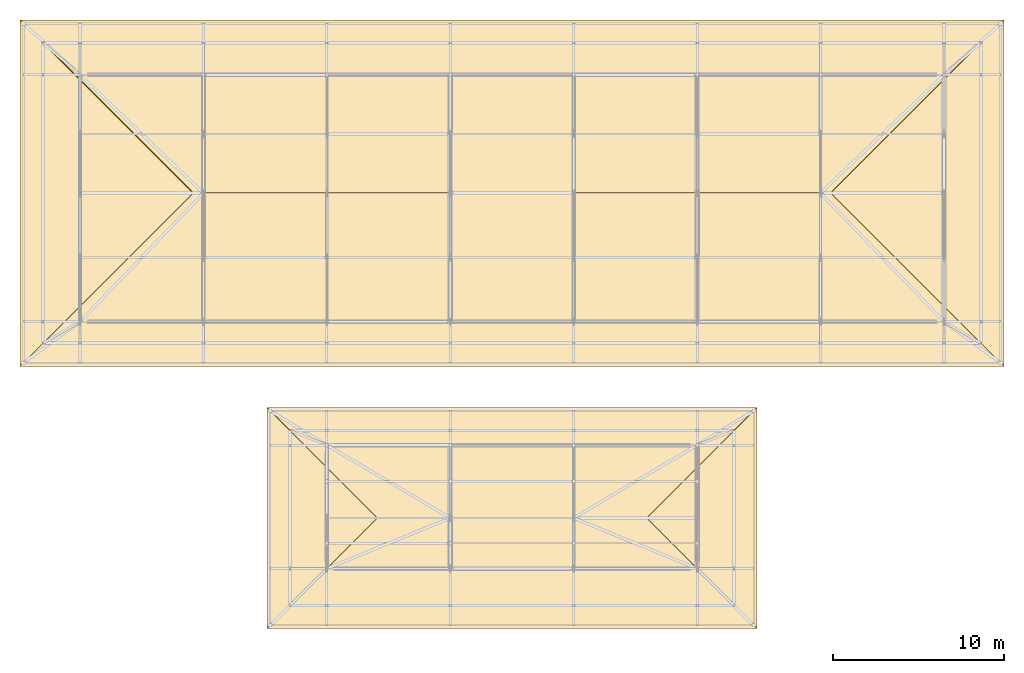
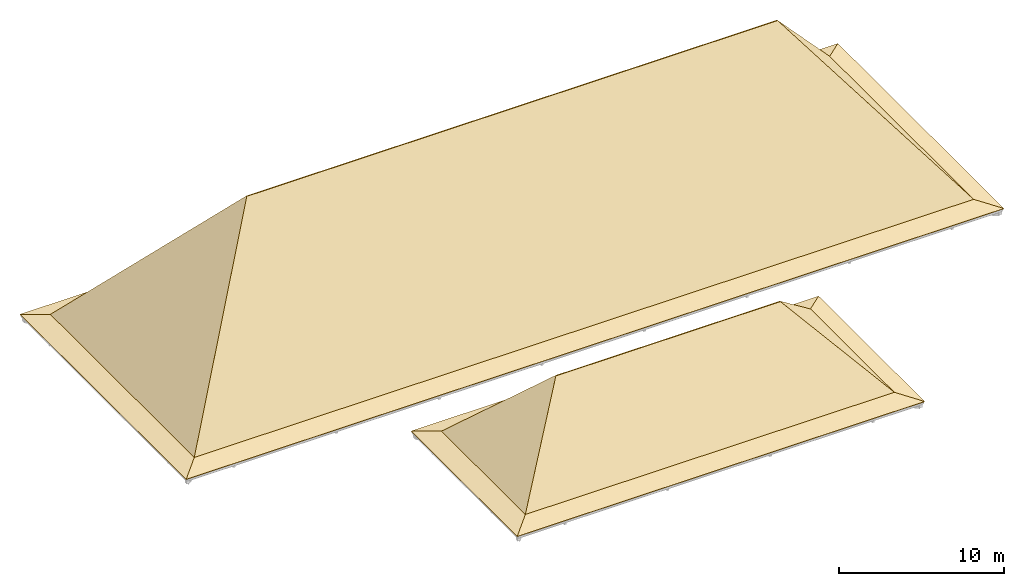
# One storey, part 12 of 12: 16 coverings.
"""IFC4 building model written with IfcOpenShell, lengths in metres."""

from ifc_helpers import new_model, si_unit, direction, frame, origin, place, context, subcontext, project, spatial, polyline, outline, extrude, material, layer, layer_set, type_object, element, save


model = new_model("IFC4")

# Units and contexts
model_context = context("Model", 3, precision=1e-05, world=origin(), true_north=direction((0.0, 1.0)))
body_context = subcontext(model_context, "Body", "Model", "MODEL_VIEW")
ifc_project = project(units=[si_unit("LENGTHUNIT", "METRE"), si_unit("AREAUNIT", "SQUARE_METRE"), si_unit("VOLUMEUNIT", "CUBIC_METRE"), si_unit("PLANEANGLEUNIT", "RADIAN"), si_unit("MASSUNIT", "GRAM", prefix="KILO")], contexts=[model_context])

# Site, building, storey
site_placement = place(None, origin())
site = spatial("IfcSite", under=ifc_project, at=site_placement, CompositionType="ELEMENT")
building_placement = place(site_placement, origin())
building = spatial("IfcBuilding", under=site, at=building_placement, Name="Steenspoor Specialist Clinic", CompositionType="ELEMENT")
storey_placement = place(building_placement, frame((0.0, 0.0, 25.800048828125)))
storey = spatial("IfcBuildingStorey", under=building, at=storey_placement, Name="RF", CompositionType="ELEMENT", Elevation=25.800048828125)

# Coverings
ifc_material = material(Name="Extruded terracotta clay roof tile", Category="masonry")
ifc_layer = layer(ifc_material, 0.044921875)
ifc_layer_set = layer_set([ifc_layer], Name="Extruded terracotta clay roof tile")
covering_type = type_object("IfcCoveringType", Name="COV-ROOF-TILE", PredefinedType="ROOFING", material=ifc_layer_set)
covering_1_placement = place(storey_placement, frame((56.10009765625, 91.35009765625, 0.0478515625), z_axis=(0.0, -0.241998799207, 0.970276548816), x_axis=(1.0, 0.0, 0.0)))
element("IfcCovering", 1, at=covering_1_placement, inside=storey, type_object=covering_type, Name="Clay Tile Roofing V4 SKS", PredefinedType="ROOFING", context=body_context, shape_type="SweptSolid", body=[
    extrude(outline(polyline([(0.0, 0.0), (57.39990234375, 0.0), (56.0498046875, 1.3912049273706915), (1.349853515625, 1.3912049273706915), (0.0, 0.0)])), origin(), (0.0, 0.0, -1.0), 0.044921875),
])
covering_2_placement = place(storey_placement, frame((113.5, 111.550048828125, 0.0478515625), z_axis=(0.0, 0.241957600267, 0.970286823405), x_axis=(-1.0, 0.0, 0.0)))
element("IfcCovering", 2, at=covering_2_placement, inside=storey, type_object=covering_type, Name="Clay Tile Roofing V4 SKN", PredefinedType="ROOFING", context=body_context, shape_type="SweptSolid", body=[
    extrude(outline(polyline([(0.0, 0.0), (57.39990234375, 0.0), (56.050048828125, 1.3914418125480714), (1.35009765625, 1.3914418125480714), (0.0, 0.0)])), origin(), (0.0, 0.0, -1.0), 0.044921875),
])
covering_3_placement = place(storey_placement, frame((56.10009765625, 111.550048828125, 0.0478515625), z_axis=(-0.241998799207, 0.0, 0.970276548816), x_axis=(0.0, -1.0, 0.0)))
element("IfcCovering", 3, at=covering_3_placement, inside=storey, type_object=covering_type, Name="Clay Tile Roofing V4 SKW", PredefinedType="ROOFING", context=body_context, shape_type="SweptSolid", body=[
    extrude(outline(polyline([(0.0, 0.0), (20.199951171875, 0.0), (18.85009765625, 1.3912049273706915), (1.35009765625, 1.3912049273706915), (0.0, 0.0)])), origin(), (0.0, 0.0, -1.0), 0.044921875),
])
covering_4_placement = place(storey_placement, frame((113.5, 91.35009765625, 0.0478515625), z_axis=(0.241957600267, 0.0, 0.970286823405), x_axis=(0.0, 1.0, 0.0)))
element("IfcCovering", 4, at=covering_4_placement, inside=storey, type_object=covering_type, Name="Clay Tile Roofing V4 SKE", PredefinedType="ROOFING", context=body_context, shape_type="SweptSolid", body=[
    extrude(outline(polyline([(0.0, 0.0), (20.199951171875, 0.0), (18.849853515625, 1.3914418125480712), (1.349853515625, 1.3914418125480712), (0.0, 0.0)])), origin(), (0.0, 0.0, -1.0), 0.044921875),
])
for number, where, z_axis, x_axis, name in (
    (5, (57.449951171875, 92.699951171875, 0.384521484375), (0.0, -0.784341952421, 0.620328704537), (1.0, 0.0, 0.0), "Clay Tile Roofing V4 S"),
    (6, (112.14990234375, 110.199951171875, 0.384521484375), (0.0, 0.784341952421, 0.620328704537), (-1.0, 0.0, 0.0), "Clay Tile Roofing V4 N"),
):
    element("IfcCovering", number, at=place(storey_placement, frame(where, z_axis=z_axis, x_axis=x_axis)), inside=storey, type_object=covering_type, Name=name, PredefinedType="ROOFING", context=body_context, shape_type="SweptSolid", body=[
        extrude(outline(polyline([(0.0, 0.0), (54.699951171875, 0.0), (45.949951171875, 14.105424972292994), (8.75, 14.105424972292994), (0.0, 0.0)])), origin(), (0.0, 0.0, -1.0), 0.044921875),
    ])
for number, where, z_axis, x_axis, name in (
    (7, (57.449951171875, 110.199951171875, 0.384521484375), (-0.784341952421, 0.0, 0.620328704537), (0.0, -1.0, 0.0), "Clay Tile Roofing V4 W"),
    (8, (112.14990234375, 92.699951171875, 0.384521484375), (0.784341952421, 0.0, 0.620328704537), (0.0, 1.0, 0.0), "Clay Tile Roofing V4 E"),
):
    element("IfcCovering", number, at=place(storey_placement, frame(where, z_axis=z_axis, x_axis=x_axis)), inside=storey, type_object=covering_type, Name=name, PredefinedType="ROOFING", context=body_context, shape_type="SweptSolid", body=[
        extrude(outline(polyline([(0.0, 0.0), (17.5, 0.0), (8.75, 14.105424972292994), (0.0, 0.0)])), origin(), (0.0, 0.0, -1.0), 0.044921875),
    ])
for number, where, z_axis, x_axis, name in (
    (9, (70.5, 76.050048828125, 0.0478515625), (0.0, -0.241998799207, 0.970276548816), (1.0, 0.0, 0.0), "Clay Tile Roofing V4S SKS"),
    (10, (99.10009765625, 88.949951171875, 0.0478515625), (0.0, 0.241998799207, 0.970276548816), (-1.0, 0.0, 0.0), "Clay Tile Roofing V4S SKN"),
):
    element("IfcCovering", number, at=place(storey_placement, frame(where, z_axis=z_axis, x_axis=x_axis)), inside=storey, type_object=covering_type, Name=name, PredefinedType="ROOFING", context=body_context, shape_type="SweptSolid", body=[
        extrude(outline(polyline([(0.0, 0.0), (28.60009765625, 0.0), (27.25, 1.3912049273706915), (1.35009765625, 1.3912049273706915), (0.0, 0.0)])), origin(), (0.0, 0.0, -1.0), 0.044921875),
    ])
for number, where, z_axis, x_axis, name in (
    (11, (70.5, 88.949951171875, 0.0478515625), (-0.241957600267, 0.0, 0.970286823405), (0.0, -1.0, 0.0), "Clay Tile Roofing V4S SKW"),
    (12, (99.10009765625, 76.050048828125, 0.0478515625), (0.241957600267, 0.0, 0.970286823405), (0.0, 1.0, 0.0), "Clay Tile Roofing V4S SKE"),
):
    element("IfcCovering", number, at=place(storey_placement, frame(where, z_axis=z_axis, x_axis=x_axis)), inside=storey, type_object=covering_type, Name=name, PredefinedType="ROOFING", context=body_context, shape_type="SweptSolid", body=[
        extrude(outline(polyline([(0.0, 0.0), (12.89990234375, 0.0), (11.550048828125, 1.3914418125480714), (1.349853515625, 1.3914418125480714), (0.0, 0.0)])), origin(), (0.0, 0.0, -1.0), 0.044921875),
    ])
covering_5_placement = place(storey_placement, frame((71.85009765625, 77.39990234375, 0.384521484375), z_axis=(0.0, -0.730992261515, 0.68238575132), x_axis=(1.0, 0.0, 0.0)))
element("IfcCovering", 13, at=covering_5_placement, inside=storey, type_object=covering_type, Name="Clay Tile Roofing V4S S", PredefinedType="ROOFING", context=body_context, shape_type="SweptSolid", body=[
    extrude(outline(polyline([(0.0, 0.0), (25.89990234375, 0.0), (20.7998046875, 7.473921673160897), (5.099853515625, 7.473921673160897), (0.0, 0.0)])), origin(), (0.0, 0.0, -1.0), 0.044921875),
])
covering_6_placement = place(storey_placement, frame((97.75, 87.60009765625, 0.384521484375), z_axis=(0.0, 0.730992261515, 0.68238575132), x_axis=(-1.0, 0.0, 0.0)))
element("IfcCovering", 14, at=covering_6_placement, inside=storey, type_object=covering_type, Name="Clay Tile Roofing V4S N", PredefinedType="ROOFING", context=body_context, shape_type="SweptSolid", body=[
    extrude(outline(polyline([(0.0, 0.0), (25.89990234375, 0.0), (20.800048828125, 7.473921673160897), (5.10009765625, 7.473921673160897), (0.0, 0.0)])), origin(), (0.0, 0.0, -1.0), 0.044921875),
])
covering_7_placement = place(storey_placement, frame((71.85009765625, 87.60009765625, 0.384521484375), z_axis=(-0.731008555915, 0.0, 0.682368295849), x_axis=(0.0, -1.0, 0.0)))
element("IfcCovering", 15, at=covering_7_placement, inside=storey, type_object=covering_type, Name="Clay Tile Roofing V4S W", PredefinedType="ROOFING", context=body_context, shape_type="SweptSolid", body=[
    extrude(outline(polyline([(0.0, 0.0), (10.2001953125, 0.0), (5.10009765625, 7.47375507720785), (0.0, 0.0)])), origin(), (0.0, 0.0, -1.0), 0.044921875),
])
covering_8_placement = place(storey_placement, frame((97.75, 77.39990234375, 0.384521484375), z_axis=(0.730992261515, 0.0, 0.68238575132), x_axis=(0.0, 1.0, 0.0)))
element("IfcCovering", 16, at=covering_8_placement, inside=storey, type_object=covering_type, Name="Clay Tile Roofing V4S E", PredefinedType="ROOFING", context=body_context, shape_type="SweptSolid", body=[
    extrude(outline(polyline([(0.0, 0.0), (10.2001953125, 0.0), (5.10009765625, 7.473921673160898), (0.0, 0.0)])), origin(), (0.0, 0.0, -1.0), 0.044921875),
])

save(model, "model.ifc")
